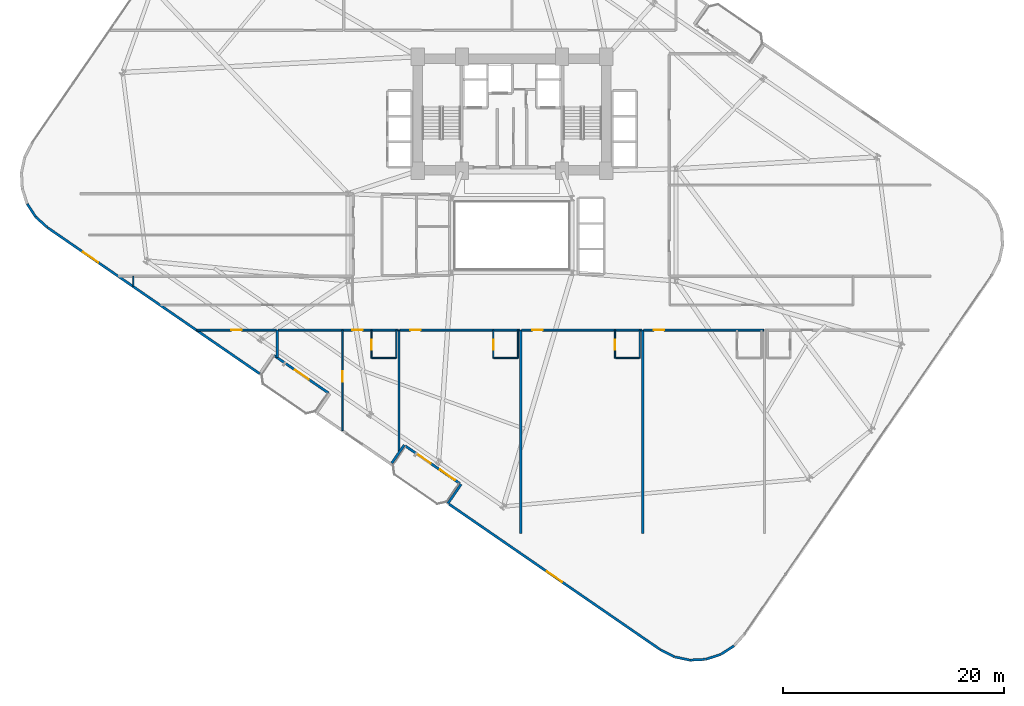
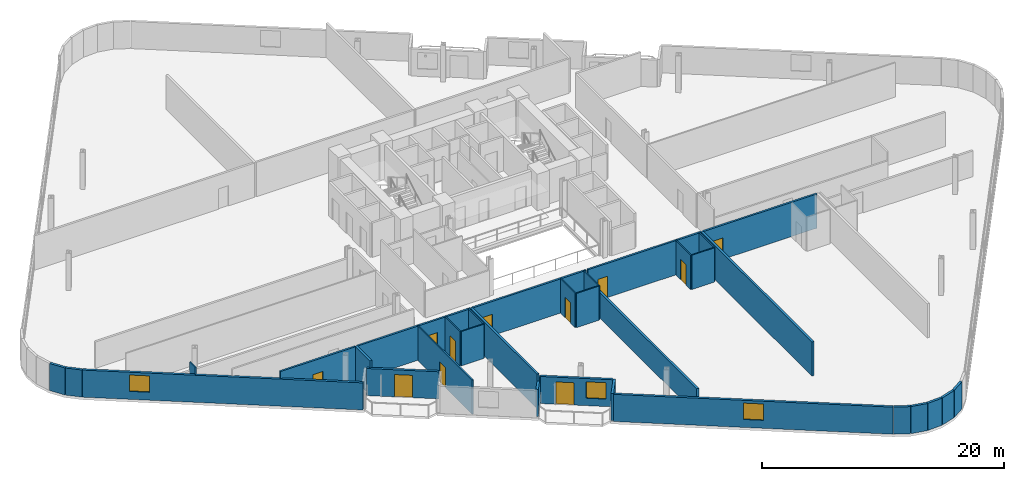
# One storey, part 17 of 24: 33 walls, 11 doors, 3 windows, 14 openings.
"""IFC4 building model written with IfcOpenShell, lengths in metres."""

from ifc_helpers import new_model, si_unit, direction, frame, frame_2d, origin, place, context, subcontext, project, spatial, rectangle, extrude, material, layer, layer_set, type_object, element, fill, save


model = new_model("IFC4")

# Units and contexts
model_context = context("Model", 3, precision=1e-05, world=origin(), true_north=direction((0.0, 1.0)))
body_context = subcontext(model_context, "Body", "Model", "MODEL_VIEW")
ifc_project = project(units=[si_unit("LENGTHUNIT", "METRE"), si_unit("AREAUNIT", "SQUARE_METRE"), si_unit("VOLUMEUNIT", "CUBIC_METRE"), si_unit("PLANEANGLEUNIT", "RADIAN"), si_unit("MASSUNIT", "GRAM", prefix="KILO")], contexts=[model_context])

# Site, building, storey
site_placement = place(None, origin())
site = spatial("IfcSite", under=ifc_project, at=site_placement, CompositionType="ELEMENT")
building_placement = place(site_placement, origin())
building = spatial("IfcBuilding", under=site, at=building_placement, Name="Varnelok Gate Tower", CompositionType="ELEMENT")
storey_placement = place(building_placement, frame((0.0, 0.0, 41.800048828125)))
storey = spatial("IfcBuildingStorey", under=building, at=storey_placement, Name="L09", CompositionType="ELEMENT", Elevation=41.800048828125)

# Wall, opening, door
ifc_material_1 = material(Name="Concrete C45/55", Category="concrete")
ifc_layer_1 = layer(ifc_material_1, 0.219970703125)
ifc_layer_set_1 = layer_set([ifc_layer_1], Name="Concrete C45/55")
wall_type_1 = type_object("IfcWallType", Name="EW-BALC-220", PredefinedType="SOLIDWALL", material=ifc_layer_set_1)
wall_1_placement = place(storey_placement, frame((22.642822265625, 8.667236328125, 0.0), z_axis=(0.0, 0.0, 1.0), x_axis=(-0.823534636215, 0.567265989598, 0.0)))
wall_1 = element("IfcWall", 1, at=wall_1_placement, inside=storey, type_object=wall_type_1, Name="L09 South Terrace Envelope Wall 1", PredefinedType="SOLIDWALL", context=body_context, shape_type="SweptSolid", body=[
    extrude(rectangle(XDim=6.0, YDim=0.219970703125, at=frame_2d((3.0, 0.0))), origin(), (0.0, 0.0, 1.0), 2.72998046875),
])
opening_1_placement = place(wall_1_placement, frame((2.176025390625, 0.0, 0.0)))
opening_1 = element("IfcOpeningElement", 2, at=opening_1_placement, cuts=wall_1, Name="Opening BD-1", PredefinedType="OPENING", context=body_context, shape_type="SweptSolid", body=[
    extrude(rectangle(XDim=1.5, YDim=2.25, at=frame_2d((0.75, 1.125))), frame((0.0, 0.119873046875, 0.0), z_axis=(0.0, -1.0, 0.0), x_axis=(1.0, 0.0, 0.0)), (0.0, 0.0, 1.0), 0.239990234375),
])
ifc_material_2 = material(Name="Anodized Aluminum Alloy 6063-T6", Category="aluminium")
door_type_1 = type_object("IfcDoorType", Name="DR-EXT-BALC1500", OperationType="NOTDEFINED", PredefinedType="DOOR", material=ifc_material_2)
door_1_placement = place(opening_1_placement, origin())
door_1 = element("IfcDoor", 3, at=door_1_placement, inside=storey, type_object=door_type_1, Name="L09 South Balcony Glazed Door 1", OperationType="SINGLE_SWING_RIGHT", OverallHeight=2.25, OverallWidth=1.5, PredefinedType="DOOR", context=body_context, shape_type="SweptSolid", body=[
    extrude(rectangle(XDim=1.5, YDim=2.25, at=frame_2d((0.75, 1.125))), frame((0.0, 0.02490234375, 0.0), z_axis=(0.0, -1.0, 0.0), x_axis=(1.0, 0.0, 0.0)), (0.0, 0.0, 1.0), 0.050048828125),
])
fill(opening_1, door_1)

# Wall, openings, door, window
wall_2_placement = place(storey_placement, frame((34.501708984375, 0.49853515625, 0.0), z_axis=(0.0, 0.0, 1.0), x_axis=(-0.823534636215, 0.567265989598, 0.0)))
wall_2 = element("IfcWall", 4, at=wall_2_placement, inside=storey, type_object=wall_type_1, Name="L09 South Terrace Envelope Wall 2", PredefinedType="SOLIDWALL", context=body_context, shape_type="SweptSolid", body=[
    extrude(rectangle(XDim=6.0, YDim=0.219970703125, at=frame_2d((3.0, 0.0))), origin(), (0.0, 0.0, 1.0), 2.72998046875),
])
opening_2_placement = place(wall_2_placement, frame((3.2119140625, 0.0, 0.0)))
opening_2 = element("IfcOpeningElement", 5, at=opening_2_placement, cuts=wall_2, Name="Opening BD-1", PredefinedType="OPENING", context=body_context, shape_type="SweptSolid", body=[
    extrude(rectangle(XDim=1.5, YDim=2.25, at=frame_2d((0.75, 1.125))), frame((0.0, 0.119873046875, 0.0), z_axis=(0.0, -1.0, 0.0), x_axis=(1.0, 0.0, 0.0)), (0.0, 0.0, 1.0), 0.239990234375),
])
opening_3_placement = place(wall_2_placement, frame((0.550048828125, 0.0, 0.75)))
opening_3 = element("IfcOpeningElement", 6, at=opening_3_placement, cuts=wall_2, Name="Opening WN3", PredefinedType="OPENING", context=body_context, shape_type="SweptSolid", body=[
    extrude(rectangle(XDim=1.64990234375, YDim=1.64990234375, at=frame_2d((0.824951171875, 0.824951171875))), frame((0.0, 0.119873046875, 0.0), z_axis=(0.0, -1.0, 0.0), x_axis=(1.0, 0.0, 0.0)), (0.0, 0.0, 1.0), 0.239990234375),
])
door_2_placement = place(opening_2_placement, origin())
door_2 = element("IfcDoor", 7, at=door_2_placement, inside=storey, type_object=door_type_1, Name="L09 South Balcony Glazed Door 2", OperationType="SINGLE_SWING_LEFT", OverallHeight=2.25, OverallWidth=1.5, PredefinedType="DOOR", context=body_context, shape_type="SweptSolid", body=[
    extrude(rectangle(XDim=1.5, YDim=2.25, at=frame_2d((0.75, 1.125))), frame((0.0, 0.02490234375, 0.0), z_axis=(0.0, -1.0, 0.0), x_axis=(1.0, 0.0, 0.0)), (0.0, 0.0, 1.0), 0.050048828125),
])
fill(opening_2, door_2)
ifc_material_3 = material(Name="Low-E Laminated Double Glazing IGU", Category="glass")
window_type = type_object("IfcWindowType", Name="WN-HTL-1650", PartitioningType="SINGLE_PANEL", PredefinedType="WINDOW", material=ifc_material_3)
window_1_placement = place(opening_3_placement, origin())
window_1 = element("IfcWindow", 8, at=window_1_placement, inside=storey, type_object=window_type, Name="L09 South Vision Window 2.1", OverallHeight=1.64990234375, OverallWidth=1.64990234375, PartitioningType="SINGLE_PANEL", PredefinedType="WINDOW", context=body_context, shape_type="SweptSolid", body=[
    extrude(rectangle(XDim=1.64990234375, YDim=1.64990234375, at=frame_2d((0.824951171875, 0.824951171875))), frame((0.0, 0.030029296875, 0.0), z_axis=(0.0, -1.0, 0.0), x_axis=(1.0, 0.0, 0.0)), (0.0, 0.0, 1.0), 0.06005859375),
])
fill(opening_3, window_1)

# Walls
wall_3_placement = place(storey_placement, frame((-4.580078125, 25.76220703125, 0.0), z_axis=(0.0, 0.0, 1.0), x_axis=(0.543748195851, -0.839248413468, 0.0)))
element("IfcWall", 9, at=wall_3_placement, inside=storey, type_object=wall_type_1, Name="L09 Perimeter Facade Closure Wall 5", PredefinedType="SOLIDWALL", context=body_context, shape_type="SweptSolid", body=[
    extrude(rectangle(XDim=1.4052734375, YDim=0.219970703125, at=frame_2d((0.70263671875, 0.0))), origin(), (0.0, 0.0, 1.0), 2.72998046875),
])
wall_4_placement = place(storey_placement, frame((-3.79736328125, 24.56591796875, 0.0), z_axis=(0.0, 0.0, 1.0), x_axis=(0.742537711837, -0.66980425984, 0.0)))
element("IfcWall", 10, at=wall_4_placement, inside=storey, type_object=wall_type_1, Name="L09 Perimeter Facade Closure Wall 6", PredefinedType="SOLIDWALL", context=body_context, shape_type="SweptSolid", body=[
    extrude(rectangle(XDim=1.4130859375, YDim=0.219970703125, at=frame_2d((0.70654296875, 0.0))), origin(), (0.0, 0.0, 1.0), 2.72998046875),
])

# Wall, opening, window
wall_5_placement = place(storey_placement, frame((-2.7275390625, 23.60498046875, 0.0), z_axis=(0.0, 0.0, 1.0), x_axis=(0.823535075462, -0.567265351915, 0.0)))
wall_5 = element("IfcWall", 11, at=wall_5_placement, inside=storey, type_object=wall_type_1, Name="L09 Perimeter Facade Closure Wall 7", PredefinedType="SOLIDWALL", context=body_context, shape_type="SweptSolid", body=[
    extrude(rectangle(XDim=23.2470703125, YDim=0.219970703125, at=frame_2d((11.62353515625, 0.0))), origin(), (0.0, 0.0, 1.0), 2.72998046875),
])
opening_4_placement = place(wall_5_placement, frame((3.887451171875, 0.0, 0.800048828125)))
opening_4 = element("IfcOpeningElement", 12, at=opening_4_placement, cuts=wall_5, Name="Opening WN3", PredefinedType="OPENING", context=body_context, shape_type="SweptSolid", body=[
    extrude(rectangle(XDim=1.64990234375, YDim=1.64990234375, at=frame_2d((0.824951171875, 0.824951171875))), frame((0.0, 0.119873046875, 0.0), z_axis=(0.0, -1.0, 0.0), x_axis=(1.0, 0.0, 0.0)), (0.0, 0.0, 1.0), 0.239990234375),
])
window_2_placement = place(opening_4_placement, origin())
window_2 = element("IfcWindow", 13, at=window_2_placement, inside=storey, type_object=window_type, Name="L09 Perimeter Vision Window 7", OverallHeight=1.64990234375, OverallWidth=1.64990234375, PartitioningType="SINGLE_PANEL", PredefinedType="WINDOW", context=body_context, shape_type="SweptSolid", body=[
    extrude(rectangle(XDim=1.64990234375, YDim=1.64990234375, at=frame_2d((0.824951171875, 0.824951171875))), frame((0.0, 0.030029296875, 0.0), z_axis=(0.0, -1.0, 0.0), x_axis=(1.0, 0.0, 0.0)), (0.0, 0.0, 1.0), 0.06005859375),
])
fill(opening_4, window_2)

# Walls
wall_6_placement = place(storey_placement, frame((28.34716796875, 2.351806640625, 0.0), z_axis=(0.0, 0.0, 1.0), x_axis=(0.567215821234, 0.823569190865, 0.0)))
element("IfcWall", 14, at=wall_6_placement, inside=storey, type_object=wall_type_1, Name="L09 Perimeter Facade Closure Wall 11", PredefinedType="SOLIDWALL", context=body_context, shape_type="SweptSolid", body=[
    extrude(rectangle(XDim=1.97509765625, YDim=0.219970703125, at=frame_2d((0.987548828125, 0.0))), origin(), (0.0, 0.0, 1.0), 2.72998046875),
])
wall_7_placement = place(storey_placement, frame((34.606201171875, 0.438720703125, 0.0), z_axis=(0.0, 0.0, 1.0), x_axis=(-0.567219383419, -0.823566737474, 0.0)))
element("IfcWall", 15, at=wall_7_placement, inside=storey, type_object=wall_type_1, Name="L09 Perimeter Facade Closure Wall 12", PredefinedType="SOLIDWALL", context=body_context, shape_type="SweptSolid", body=[
    extrude(rectangle(XDim=2.10009765625, YDim=0.219970703125, at=frame_2d((1.050048828125, 0.0))), origin(), (0.0, 0.0, 1.0), 2.72998046875),
])

# Wall, opening, window
wall_8_placement = place(storey_placement, frame((33.517822265625, -1.36181640625, 0.0), z_axis=(0.0, 0.0, 1.0), x_axis=(0.82353935489, -0.567259139148, 0.0)))
wall_8 = element("IfcWall", 16, at=wall_8_placement, inside=storey, type_object=wall_type_1, Name="L09 Perimeter Facade Closure Wall 13", PredefinedType="SOLIDWALL", context=body_context, shape_type="SweptSolid", body=[
    extrude(rectangle(XDim=23.14697265625, YDim=0.219970703125, at=frame_2d((11.573486328125, 0.0))), origin(), (0.0, 0.0, 1.0), 2.72998046875),
])
opening_5_placement = place(wall_8_placement, frame((10.74853515625, 0.0, 0.800048828125)))
opening_5 = element("IfcOpeningElement", 17, at=opening_5_placement, cuts=wall_8, Name="Opening WN3", PredefinedType="OPENING", context=body_context, shape_type="SweptSolid", body=[
    extrude(rectangle(XDim=1.64990234375, YDim=1.64990234375, at=frame_2d((0.824951171875, 0.824951171875))), frame((0.0, 0.119873046875, 0.0), z_axis=(0.0, -1.0, 0.0), x_axis=(1.0, 0.0, 0.0)), (0.0, 0.0, 1.0), 0.239990234375),
])
window_3_placement = place(opening_5_placement, origin())
window_3 = element("IfcWindow", 18, at=window_3_placement, inside=storey, type_object=window_type, Name="L09 Perimeter Vision Window 13", OverallHeight=1.64990234375, OverallWidth=1.64990234375, PartitioningType="SINGLE_PANEL", PredefinedType="WINDOW", context=body_context, shape_type="SweptSolid", body=[
    extrude(rectangle(XDim=1.64990234375, YDim=1.64990234375, at=frame_2d((0.824951171875, 0.824951171875))), frame((0.0, 0.030029296875, 0.0), z_axis=(0.0, -1.0, 0.0), x_axis=(1.0, 0.0, 0.0)), (0.0, 0.0, 1.0), 0.06005859375),
])
fill(opening_5, window_3)

# Walls
wall_9_placement = place(storey_placement, frame((52.602783203125, -14.503662109375, 0.0), z_axis=(0.0, 0.0, 1.0), x_axis=(0.89052335693, -0.45493752402, 0.0)))
element("IfcWall", 19, at=wall_9_placement, inside=storey, type_object=wall_type_1, Name="L09 Perimeter Facade Closure Wall 14", PredefinedType="SOLIDWALL", context=body_context, shape_type="SweptSolid", body=[
    extrude(rectangle(XDim=1.4130859375, YDim=0.219970703125, at=frame_2d((0.70654296875, 0.0))), origin(), (0.0, 0.0, 1.0), 2.72998046875),
])
for number, where, z_axis, x_axis, name in (
    (20, (53.8857421875, -15.15185546875, 0.0), (0.0, 0.0, 1.0), (0.977952168511, -0.208829011645, 0.0), "L09 Perimeter Facade Closure Wall 15"),
    (21, (55.284912109375, -15.444091796875, 0.0), (0.0, 0.0, 1.0), (0.998685611917, 0.051254741739, 0.0), "L09 Perimeter Facade Closure Wall 16"),
    (22, (56.712158203125, -15.364501953125, 0.0), (0.0, 0.0, 1.0), (0.95132472924, 0.308190297603, 0.0), "L09 Perimeter Facade Closure Wall 17"),
    (23, (58.070068359375, -14.91796875, 0.0), (0.0, 0.0, 1.0), (0.839248413468, 0.543748195851, 0.0), "L09 Perimeter Facade Closure Wall 18"),
):
    element("IfcWall", number, at=place(storey_placement, frame(where, z_axis=z_axis, x_axis=x_axis)), inside=storey, type_object=wall_type_1, Name=name, PredefinedType="SOLIDWALL", context=body_context, shape_type="SweptSolid", body=[
        extrude(rectangle(XDim=1.4052734375, YDim=0.219970703125, at=frame_2d((0.70263671875, 0.0))), origin(), (0.0, 0.0, 1.0), 2.72998046875),
    ])

# Wall, opening, door
ifc_material_4 = material(Name="Gypsum Plasterboard Acoustic Partition", Category="gypsum")
ifc_layer_2 = layer(ifc_material_4, 0.179931640625)
ifc_layer_set_2 = layer_set([ifc_layer_2], Name="Gypsum Plasterboard Acoustic Partition")
wall_type_2 = type_object("IfcWallType", Name="PW-CORR-180", PredefinedType="PARTITIONING", material=ifc_layer_set_2)
wall_10_placement = place(storey_placement, frame((10.743896484375, 14.35009765625, 0.0), z_axis=(0.0, 0.0, 1.0), x_axis=(1.0, 0.0, 0.0)))
wall_10 = element("IfcWall", 24, at=wall_10_placement, inside=storey, type_object=wall_type_2, Name="Interior Partition", PredefinedType="PARTITIONING", context=body_context, shape_type="SweptSolid", body=[
    extrude(rectangle(XDim=7.176025390625, YDim=0.179931640625, at=frame_2d((3.587890625, 0.0))), origin(), (0.0, 0.0, 1.0), 3.449951171875),
])
opening_6_placement = place(wall_10_placement, frame((3.113037109375, 0.0, 0.0)))
opening_6 = element("IfcOpeningElement", 25, at=opening_6_placement, cuts=wall_10, Name="Opening D-I2", PredefinedType="OPENING", context=body_context, shape_type="SweptSolid", body=[
    extrude(rectangle(XDim=0.949951171875, YDim=2.050048828125, at=frame_2d((0.47509765625, 1.02490234375))), frame((0.0, 0.099853515625, 0.0), z_axis=(0.0, -1.0, 0.0), x_axis=(1.0, 0.0, 0.0)), (0.0, 0.0, 1.0), 0.199951171875),
])
ifc_material_5 = material(Name="Engineered Hardwood Timber", Category="wood")
door_type_2 = type_object("IfcDoorType", Name="DR-INT-950", OperationType="NOTDEFINED", PredefinedType="DOOR", material=ifc_material_5)
door_3_placement = place(opening_6_placement, origin())
door_3 = element("IfcDoor", 26, at=door_3_placement, inside=storey, type_object=door_type_2, Name="L09 Wellness Spa Lounge Door", OperationType="SINGLE_SWING_LEFT", OverallHeight=2.050048828125, OverallWidth=0.949951171875, PredefinedType="DOOR", context=body_context, shape_type="SweptSolid", body=[
    extrude(rectangle(XDim=0.949951171875, YDim=2.050048828125, at=frame_2d((0.47509765625, 1.02490234375))), frame((0.0, 0.02490234375, 0.0), z_axis=(0.0, -1.0, 0.0), x_axis=(1.0, 0.0, 0.0)), (0.0, 0.0, 1.0), 0.050048828125),
])
fill(opening_6, door_3)

wall_11_placement = place(storey_placement, frame((18.080078125, 14.35009765625, 0.0), z_axis=(0.0, 0.0, 1.0), x_axis=(1.0, 0.0, 0.0)))
wall_11 = element("IfcWall", 27, at=wall_11_placement, inside=storey, type_object=wall_type_2, Name="Interior Partition", PredefinedType="PARTITIONING", context=body_context, shape_type="SweptSolid", body=[
    extrude(rectangle(XDim=10.83984375, YDim=0.179931640625, at=frame_2d((5.419921875, 0.0))), origin(), (0.0, 0.0, 1.0), 3.449951171875),
])
opening_7_placement = place(wall_11_placement, frame((6.679931640625, 0.0, 0.0)))
opening_7 = element("IfcOpeningElement", 28, at=opening_7_placement, cuts=wall_11, Name="Opening D-HT", PredefinedType="OPENING", context=body_context, shape_type="SweptSolid", body=[
    extrude(rectangle(XDim=0.949951171875, YDim=2.14990234375, at=frame_2d((0.47509765625, 1.074951171875))), frame((0.0, 0.099853515625, 0.0), z_axis=(0.0, -1.0, 0.0), x_axis=(1.0, 0.0, 0.0)), (0.0, 0.0, 1.0), 0.199951171875),
])
door_type_3 = type_object("IfcDoorType", Name="DR-HTL-950", OperationType="NOTDEFINED", PredefinedType="DOOR", material=ifc_material_5)
door_4_placement = place(opening_7_placement, origin())
door_4 = element("IfcDoor", 29, at=door_4_placement, inside=storey, type_object=door_type_3, Name="L09 Guest Room 02 Entrance Door", OperationType="SINGLE_SWING_LEFT", OverallHeight=2.14990234375, OverallWidth=0.949951171875, PredefinedType="DOOR", context=body_context, shape_type="SweptSolid", body=[
    extrude(rectangle(XDim=0.949951171875, YDim=2.14990234375, at=frame_2d((0.47509765625, 1.074951171875))), frame((0.0, 0.02490234375, 0.0), z_axis=(0.0, -1.0, 0.0), x_axis=(1.0, 0.0, 0.0)), (0.0, 0.0, 1.0), 0.050048828125),
])
fill(opening_7, door_4)

wall_12_placement = place(storey_placement, frame((29.080078125, 14.35009765625, 0.0), z_axis=(0.0, 0.0, 1.0), x_axis=(1.0, 0.0, 0.0)))
wall_12 = element("IfcWall", 30, at=wall_12_placement, inside=storey, type_object=wall_type_2, Name="Interior Partition", PredefinedType="PARTITIONING", context=body_context, shape_type="SweptSolid", body=[
    extrude(rectangle(XDim=10.83984375, YDim=0.179931640625, at=frame_2d((5.419921875, 0.0))), origin(), (0.0, 0.0, 1.0), 3.449951171875),
])
opening_8_placement = place(wall_12_placement, frame((0.926025390625, 0.0, 0.0)))
opening_8 = element("IfcOpeningElement", 31, at=opening_8_placement, cuts=wall_12, Name="Opening D-HT", PredefinedType="OPENING", context=body_context, shape_type="SweptSolid", body=[
    extrude(rectangle(XDim=0.949951171875, YDim=2.14990234375, at=frame_2d((0.47509765625, 1.074951171875))), frame((0.0, 0.099853515625, 0.0), z_axis=(0.0, -1.0, 0.0), x_axis=(1.0, 0.0, 0.0)), (0.0, 0.0, 1.0), 0.199951171875),
])
door_5_placement = place(opening_8_placement, origin())
door_5 = element("IfcDoor", 32, at=door_5_placement, inside=storey, type_object=door_type_3, Name="L09 Guest Room 03 Entrance Door", OperationType="SINGLE_SWING_RIGHT", OverallHeight=2.14990234375, OverallWidth=0.949951171875, PredefinedType="DOOR", context=body_context, shape_type="SweptSolid", body=[
    extrude(rectangle(XDim=0.949951171875, YDim=2.14990234375, at=frame_2d((0.47509765625, 1.074951171875))), frame((0.0, 0.02490234375, 0.0), z_axis=(0.0, -1.0, 0.0), x_axis=(1.0, 0.0, 0.0)), (0.0, 0.0, 1.0), 0.050048828125),
])
fill(opening_8, door_5)

wall_13_placement = place(storey_placement, frame((40.080078125, 14.35009765625, 0.0), z_axis=(0.0, 0.0, 1.0), x_axis=(1.0, 0.0, 0.0)))
wall_13 = element("IfcWall", 33, at=wall_13_placement, inside=storey, type_object=wall_type_2, Name="Interior Partition", PredefinedType="PARTITIONING", context=body_context, shape_type="SweptSolid", body=[
    extrude(rectangle(XDim=10.83984375, YDim=0.179931640625, at=frame_2d((5.419921875, 0.0))), origin(), (0.0, 0.0, 1.0), 3.449951171875),
])
opening_9_placement = place(wall_13_placement, frame((0.926025390625, 0.0, 0.0)))
opening_9 = element("IfcOpeningElement", 34, at=opening_9_placement, cuts=wall_13, Name="Opening D-HT", PredefinedType="OPENING", context=body_context, shape_type="SweptSolid", body=[
    extrude(rectangle(XDim=0.949951171875, YDim=2.14990234375, at=frame_2d((0.47509765625, 1.074951171875))), frame((0.0, 0.099853515625, 0.0), z_axis=(0.0, -1.0, 0.0), x_axis=(1.0, 0.0, 0.0)), (0.0, 0.0, 1.0), 0.199951171875),
])
door_6_placement = place(opening_9_placement, origin())
door_6 = element("IfcDoor", 35, at=door_6_placement, inside=storey, type_object=door_type_3, Name="L09 Guest Room 04 Entrance Door", OperationType="SINGLE_SWING_LEFT", OverallHeight=2.14990234375, OverallWidth=0.949951171875, PredefinedType="DOOR", context=body_context, shape_type="SweptSolid", body=[
    extrude(rectangle(XDim=0.949951171875, YDim=2.14990234375, at=frame_2d((0.47509765625, 1.074951171875))), frame((0.0, 0.02490234375, 0.0), z_axis=(0.0, -1.0, 0.0), x_axis=(1.0, 0.0, 0.0)), (0.0, 0.0, 1.0), 0.050048828125),
])
fill(opening_9, door_6)

wall_14_placement = place(storey_placement, frame((51.080078125, 14.35009765625, 0.0), z_axis=(0.0, 0.0, 1.0), x_axis=(1.0, 0.0, 0.0)))
wall_14 = element("IfcWall", 36, at=wall_14_placement, inside=storey, type_object=wall_type_2, Name="Interior Partition", PredefinedType="PARTITIONING", context=body_context, shape_type="SweptSolid", body=[
    extrude(rectangle(XDim=10.83984375, YDim=0.179931640625, at=frame_2d((5.419921875, 0.0))), origin(), (0.0, 0.0, 1.0), 3.449951171875),
])
opening_10_placement = place(wall_14_placement, frame((0.926025390625, 0.0, 0.0)))
opening_10 = element("IfcOpeningElement", 37, at=opening_10_placement, cuts=wall_14, Name="Opening D-HT", PredefinedType="OPENING", context=body_context, shape_type="SweptSolid", body=[
    extrude(rectangle(XDim=0.949951171875, YDim=2.14990234375, at=frame_2d((0.47509765625, 1.074951171875))), frame((0.0, 0.099853515625, 0.0), z_axis=(0.0, -1.0, 0.0), x_axis=(1.0, 0.0, 0.0)), (0.0, 0.0, 1.0), 0.199951171875),
])
door_7_placement = place(opening_10_placement, origin())
door_7 = element("IfcDoor", 38, at=door_7_placement, inside=storey, type_object=door_type_3, Name="L09 Guest Room 05 Entrance Door", OperationType="SINGLE_SWING_RIGHT", OverallHeight=2.14990234375, OverallWidth=0.949951171875, PredefinedType="DOOR", context=body_context, shape_type="SweptSolid", body=[
    extrude(rectangle(XDim=0.949951171875, YDim=2.14990234375, at=frame_2d((0.47509765625, 1.074951171875))), frame((0.0, 0.02490234375, 0.0), z_axis=(0.0, -1.0, 0.0), x_axis=(1.0, 0.0, 0.0)), (0.0, 0.0, 1.0), 0.050048828125),
])
fill(opening_10, door_7)

# Wall
ifc_layer_3 = layer(ifc_material_4, 0.114990234375)
ifc_layer_set_3 = layer_set([ifc_layer_3], Name="Gypsum Plasterboard Acoustic Partition")
wall_type_3 = type_object("IfcWallType", Name="PW-ENS-125", PredefinedType="PARTITIONING", material=ifc_layer_set_3)
wall_15_placement = place(storey_placement, frame((26.550048828125, 11.830078125, 0.0), z_axis=(0.0, 0.0, 1.0), x_axis=(1.0, 0.0, 0.0)))
element("IfcWall", 39, at=wall_15_placement, inside=storey, type_object=wall_type_3, Name="Interior Partition", PredefinedType="PARTITIONING", context=body_context, shape_type="SweptSolid", body=[
    extrude(rectangle(XDim=2.14990234375, YDim=0.114990234375, at=frame_2d((1.074951171875, 0.0))), origin(), (0.0, 0.0, 1.0), 3.449951171875),
])

# Wall, opening, door
wall_16_placement = place(storey_placement, frame((26.510009765625, 11.830078125, 0.0), z_axis=(0.0, 0.0, 1.0), x_axis=(0.0, 1.0, 0.0)))
wall_16 = element("IfcWall", 40, at=wall_16_placement, inside=storey, type_object=wall_type_3, Name="Interior Partition", PredefinedType="PARTITIONING", context=body_context, shape_type="SweptSolid", body=[
    extrude(rectangle(XDim=2.52001953125, YDim=0.114990234375, at=frame_2d((1.260009765625, 0.0))), origin(), (0.0, 0.0, 1.0), 3.449951171875),
])
opening_11_placement = place(wall_16_placement, frame((0.760009765625, 0.0, 0.0)))
opening_11 = element("IfcOpeningElement", 41, at=opening_11_placement, cuts=wall_16, Name="Opening D-WC", PredefinedType="OPENING", context=body_context, shape_type="SweptSolid", body=[
    extrude(rectangle(XDim=0.89990234375, YDim=2.050048828125, at=frame_2d((0.449951171875, 1.02490234375))), frame((0.0, 0.0673828125, 0.0), z_axis=(0.0, -1.0, 0.0), x_axis=(1.0, 0.0, 0.0)), (0.0, 0.0, 1.0), 0.135009765625),
])
door_type_4 = type_object("IfcDoorType", Name="DR-BATH-900", OperationType="NOTDEFINED", PredefinedType="DOOR", material=ifc_material_5)
door_8_placement = place(opening_11_placement, origin())
door_8 = element("IfcDoor", 42, at=door_8_placement, inside=storey, type_object=door_type_4, Name="L09 Guest En-Suite 02 Door", OperationType="SINGLE_SWING_RIGHT", OverallHeight=2.050048828125, OverallWidth=0.89990234375, PredefinedType="DOOR", context=body_context, shape_type="SweptSolid", body=[
    extrude(rectangle(XDim=0.89990234375, YDim=2.050048828125, at=frame_2d((0.449951171875, 1.02490234375))), frame((0.0, 0.02490234375, 0.0), z_axis=(0.0, -1.0, 0.0), x_axis=(1.0, 0.0, 0.0)), (0.0, 0.0, 1.0), 0.050048828125),
])
fill(opening_11, door_8)

# Walls
wall_17_placement = place(storey_placement, frame((28.739990234375, 11.830078125, 0.0), z_axis=(0.0, 0.0, 1.0), x_axis=(0.0, 1.0, 0.0)))
element("IfcWall", 43, at=wall_17_placement, inside=storey, type_object=wall_type_3, Name="Interior Partition", PredefinedType="PARTITIONING", context=body_context, shape_type="SweptSolid", body=[
    extrude(rectangle(XDim=2.52001953125, YDim=0.114990234375, at=frame_2d((1.260009765625, 0.0))), origin(), (0.0, 0.0, 1.0), 3.449951171875),
])
wall_18_placement = place(storey_placement, frame((37.550048828125, 11.830078125, 0.0), z_axis=(0.0, 0.0, 1.0), x_axis=(1.0, 0.0, 0.0)))
element("IfcWall", 44, at=wall_18_placement, inside=storey, type_object=wall_type_3, Name="Interior Partition", PredefinedType="PARTITIONING", context=body_context, shape_type="SweptSolid", body=[
    extrude(rectangle(XDim=2.14990234375, YDim=0.114990234375, at=frame_2d((1.074951171875, 0.0))), origin(), (0.0, 0.0, 1.0), 3.449951171875),
])

# Wall, opening, door
wall_19_placement = place(storey_placement, frame((37.510009765625, 11.830078125, 0.0), z_axis=(0.0, 0.0, 1.0), x_axis=(0.0, 1.0, 0.0)))
wall_19 = element("IfcWall", 45, at=wall_19_placement, inside=storey, type_object=wall_type_3, Name="Interior Partition", PredefinedType="PARTITIONING", context=body_context, shape_type="SweptSolid", body=[
    extrude(rectangle(XDim=2.52001953125, YDim=0.114990234375, at=frame_2d((1.260009765625, 0.0))), origin(), (0.0, 0.0, 1.0), 3.449951171875),
])
opening_12_placement = place(wall_19_placement, frame((0.760009765625, 0.0, 0.0)))
opening_12 = element("IfcOpeningElement", 46, at=opening_12_placement, cuts=wall_19, Name="Opening D-WC", PredefinedType="OPENING", context=body_context, shape_type="SweptSolid", body=[
    extrude(rectangle(XDim=0.89990234375, YDim=2.050048828125, at=frame_2d((0.449951171875, 1.02490234375))), frame((0.0, 0.0673828125, 0.0), z_axis=(0.0, -1.0, 0.0), x_axis=(1.0, 0.0, 0.0)), (0.0, 0.0, 1.0), 0.135009765625),
])
door_9_placement = place(opening_12_placement, origin())
door_9 = element("IfcDoor", 47, at=door_9_placement, inside=storey, type_object=door_type_4, Name="L09 Guest En-Suite 03 Door", OperationType="SINGLE_SWING_RIGHT", OverallHeight=2.050048828125, OverallWidth=0.89990234375, PredefinedType="DOOR", context=body_context, shape_type="SweptSolid", body=[
    extrude(rectangle(XDim=0.89990234375, YDim=2.050048828125, at=frame_2d((0.449951171875, 1.02490234375))), frame((0.0, 0.02490234375, 0.0), z_axis=(0.0, -1.0, 0.0), x_axis=(1.0, 0.0, 0.0)), (0.0, 0.0, 1.0), 0.050048828125),
])
fill(opening_12, door_9)

# Walls
wall_20_placement = place(storey_placement, frame((39.739990234375, 11.830078125, 0.0), z_axis=(0.0, 0.0, 1.0), x_axis=(0.0, 1.0, 0.0)))
element("IfcWall", 48, at=wall_20_placement, inside=storey, type_object=wall_type_3, Name="Interior Partition", PredefinedType="PARTITIONING", context=body_context, shape_type="SweptSolid", body=[
    extrude(rectangle(XDim=2.52001953125, YDim=0.114990234375, at=frame_2d((1.260009765625, 0.0))), origin(), (0.0, 0.0, 1.0), 3.449951171875),
])
wall_21_placement = place(storey_placement, frame((48.550048828125, 11.830078125, 0.0), z_axis=(0.0, 0.0, 1.0), x_axis=(1.0, 0.0, 0.0)))
element("IfcWall", 49, at=wall_21_placement, inside=storey, type_object=wall_type_3, Name="Interior Partition", PredefinedType="PARTITIONING", context=body_context, shape_type="SweptSolid", body=[
    extrude(rectangle(XDim=2.14990234375, YDim=0.114990234375, at=frame_2d((1.074951171875, 0.0))), origin(), (0.0, 0.0, 1.0), 3.449951171875),
])

# Wall, opening, door
wall_22_placement = place(storey_placement, frame((48.510009765625, 11.830078125, 0.0), z_axis=(0.0, 0.0, 1.0), x_axis=(0.0, 1.0, 0.0)))
wall_22 = element("IfcWall", 50, at=wall_22_placement, inside=storey, type_object=wall_type_3, Name="Interior Partition", PredefinedType="PARTITIONING", context=body_context, shape_type="SweptSolid", body=[
    extrude(rectangle(XDim=2.52001953125, YDim=0.114990234375, at=frame_2d((1.260009765625, 0.0))), origin(), (0.0, 0.0, 1.0), 3.449951171875),
])
opening_13_placement = place(wall_22_placement, frame((0.760009765625, 0.0, 0.0)))
opening_13 = element("IfcOpeningElement", 51, at=opening_13_placement, cuts=wall_22, Name="Opening D-WC", PredefinedType="OPENING", context=body_context, shape_type="SweptSolid", body=[
    extrude(rectangle(XDim=0.89990234375, YDim=2.050048828125, at=frame_2d((0.449951171875, 1.02490234375))), frame((0.0, 0.0673828125, 0.0), z_axis=(0.0, -1.0, 0.0), x_axis=(1.0, 0.0, 0.0)), (0.0, 0.0, 1.0), 0.135009765625),
])
door_10_placement = place(opening_13_placement, origin())
door_10 = element("IfcDoor", 52, at=door_10_placement, inside=storey, type_object=door_type_4, Name="L09 Guest En-Suite 04 Door", OperationType="SINGLE_SWING_RIGHT", OverallHeight=2.050048828125, OverallWidth=0.89990234375, PredefinedType="DOOR", context=body_context, shape_type="SweptSolid", body=[
    extrude(rectangle(XDim=0.89990234375, YDim=2.050048828125, at=frame_2d((0.449951171875, 1.02490234375))), frame((0.0, 0.02490234375, 0.0), z_axis=(0.0, -1.0, 0.0), x_axis=(1.0, 0.0, 0.0)), (0.0, 0.0, 1.0), 0.050048828125),
])
fill(opening_13, door_10)

# Walls
wall_23_placement = place(storey_placement, frame((50.739990234375, 11.830078125, 0.0), z_axis=(0.0, 0.0, 1.0), x_axis=(0.0, 1.0, 0.0)))
element("IfcWall", 53, at=wall_23_placement, inside=storey, type_object=wall_type_3, Name="Interior Partition", PredefinedType="PARTITIONING", context=body_context, shape_type="SweptSolid", body=[
    extrude(rectangle(XDim=2.52001953125, YDim=0.114990234375, at=frame_2d((1.260009765625, 0.0))), origin(), (0.0, 0.0, 1.0), 3.449951171875),
])
ifc_layer_4 = layer(ifc_material_4, 0.125)
ifc_layer_set_4 = layer_set([ifc_layer_4], Name="Gypsum Plasterboard Acoustic Partition")
wall_type_4 = type_object("IfcWallType", Name="PW-PART-125", PredefinedType="PARTITIONING", material=ifc_layer_set_4)
wall_24_placement = place(storey_placement, frame((5.0, 18.306396484375, 0.0), z_axis=(0.0, 0.0, 1.0), x_axis=(0.0, 1.0, 0.0)))
element("IfcWall", 54, at=wall_24_placement, inside=storey, type_object=wall_type_4, Name="Interior Partition", PredefinedType="PARTITIONING", context=body_context, shape_type="SweptSolid", body=[
    extrude(rectangle(XDim=0.93359375, YDim=0.125, at=frame_2d((0.466796875, 0.0))), origin(), (0.0, 0.0, 1.0), 3.449951171875),
])

# Wall, opening, door
wall_25_placement = place(storey_placement, frame((23.89990234375, 5.28759765625, 0.0), z_axis=(0.0, 0.0, 1.0), x_axis=(0.0, 1.0, 0.0)))
wall_25 = element("IfcWall", 55, at=wall_25_placement, inside=storey, type_object=wall_type_4, Name="Interior Partition", PredefinedType="PARTITIONING", context=body_context, shape_type="SweptSolid", body=[
    extrude(rectangle(XDim=9.0625, YDim=0.125, at=frame_2d((4.53125, 0.0))), origin(), (0.0, 0.0, 1.0), 3.449951171875),
])
opening_14_placement = place(wall_25_placement, frame((4.4248046875, 0.0, 0.0)))
opening_14 = element("IfcOpeningElement", 56, at=opening_14_placement, cuts=wall_25, Name="Opening D-I3", PredefinedType="OPENING", context=body_context, shape_type="SweptSolid", body=[
    extrude(rectangle(XDim=0.919921875, YDim=2.050048828125, at=frame_2d((0.4599609375, 1.02490234375))), frame((0.0, 0.072509765625, 0.0), z_axis=(0.0, -1.0, 0.0), x_axis=(1.0, 0.0, 0.0)), (0.0, 0.0, 1.0), 0.14501953125),
])
door_type_5 = type_object("IfcDoorType", Name="DR-INT-920", OperationType="NOTDEFINED", PredefinedType="DOOR", material=ifc_material_5)
door_11_placement = place(opening_14_placement, origin())
door_11 = element("IfcDoor", 57, at=door_11_placement, inside=storey, type_object=door_type_5, Name="L09 Suite Bedroom Door 2", OperationType="SINGLE_SWING_LEFT", OverallHeight=2.050048828125, OverallWidth=0.919921875, PredefinedType="DOOR", context=body_context, shape_type="SweptSolid", body=[
    extrude(rectangle(XDim=0.919921875, YDim=2.050048828125, at=frame_2d((0.4599609375, 1.02490234375))), frame((0.0, 0.02490234375, 0.0), z_axis=(0.0, -1.0, 0.0), x_axis=(1.0, 0.0, 0.0)), (0.0, 0.0, 1.0), 0.050048828125),
])
fill(opening_14, door_11)

# Walls
ifc_layer_5 = layer(ifc_material_4, 0.205078125)
ifc_layer_set_5 = layer_set([ifc_layer_5], Name="Gypsum Plasterboard Acoustic Partition")
wall_type_5 = type_object("IfcWallType", Name="PW-PARTY-200", PredefinedType="PARTITIONING", material=ifc_layer_set_5)
wall_26_placement = place(storey_placement, frame((18.0, 11.901611328125, 0.0), z_axis=(0.0, 0.0, 1.0), x_axis=(0.0, 1.0, 0.0)))
element("IfcWall", 58, at=wall_26_placement, inside=storey, type_object=wall_type_5, Name="L09 South Party Wall 1", PredefinedType="PARTITIONING", context=body_context, shape_type="SweptSolid", body=[
    extrude(rectangle(XDim=2.448486328125, YDim=0.205078125, at=frame_2d((1.22412109375, 0.0))), origin(), (0.0, 0.0, 1.0), 3.449951171875),
])
wall_27_placement = place(storey_placement, frame((29.0, 3.335205078125, 0.0), z_axis=(0.0, 0.0, 1.0), x_axis=(0.0, 1.0, 0.0)))
element("IfcWall", 59, at=wall_27_placement, inside=storey, type_object=wall_type_5, Name="L09 South Party Wall 2", PredefinedType="PARTITIONING", context=body_context, shape_type="SweptSolid", body=[
    extrude(rectangle(XDim=11.014892578125, YDim=0.205078125, at=frame_2d((5.50732421875, 0.0))), origin(), (0.0, 0.0, 1.0), 3.449951171875),
])
wall_28_placement = place(storey_placement, frame((40.0, -4.0, 0.0), z_axis=(0.0, 0.0, 1.0), x_axis=(0.0, 1.0, 0.0)))
element("IfcWall", 60, at=wall_28_placement, inside=storey, type_object=wall_type_5, Name="L09 South Party Wall 3", PredefinedType="PARTITIONING", context=body_context, shape_type="SweptSolid", body=[
    extrude(rectangle(XDim=18.35009765625, YDim=0.205078125, at=frame_2d((9.175048828125, 0.0))), origin(), (0.0, 0.0, 1.0), 2.579833984375),
])
wall_29_placement = place(storey_placement, frame((51.0, -4.0, 0.0), z_axis=(0.0, 0.0, 1.0), x_axis=(0.0, 1.0, 0.0)))
element("IfcWall", 61, at=wall_29_placement, inside=storey, type_object=wall_type_5, Name="L09 South Party Wall 4", PredefinedType="PARTITIONING", context=body_context, shape_type="SweptSolid", body=[
    extrude(rectangle(XDim=18.35009765625, YDim=0.205078125, at=frame_2d((9.175048828125, 0.0))), origin(), (0.0, 0.0, 1.0), 3.449951171875),
])

save(model, "model.ifc")
